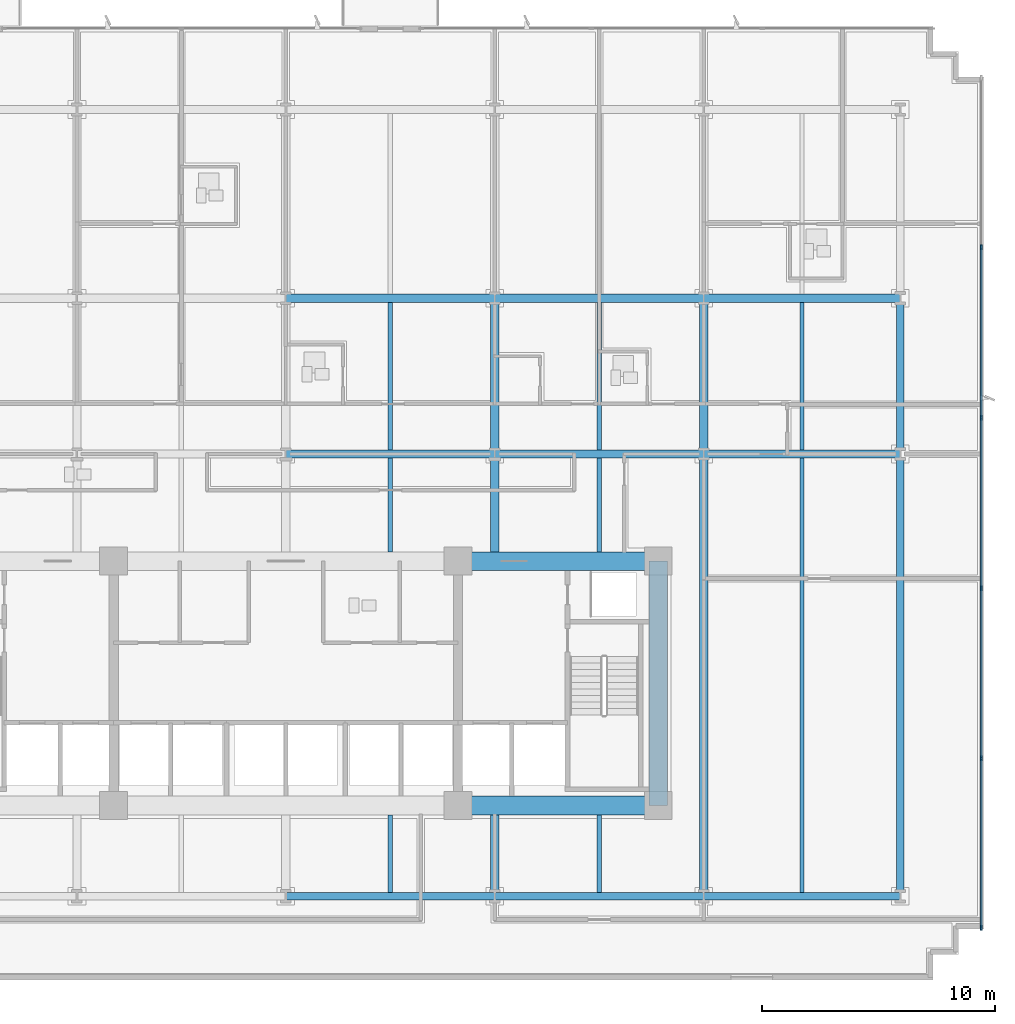
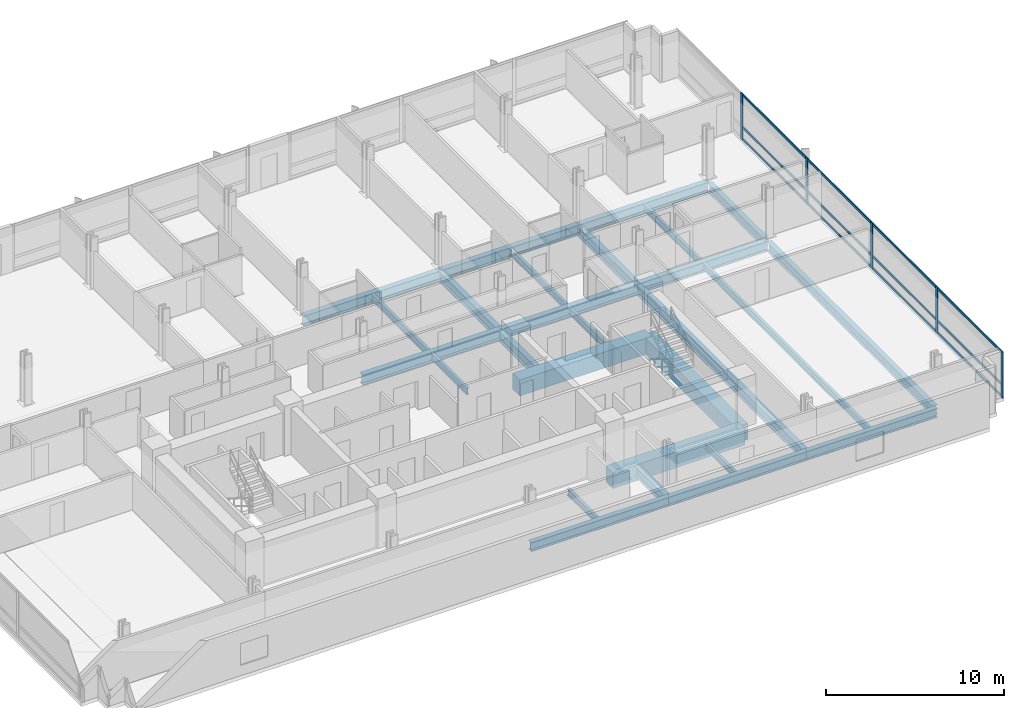
# One storey, part 4 of 17: 27 beams, 17 members, 1 element without a shape of its own.
"""IFC4 building model written with IfcOpenShell, lengths in metres."""

from ifc_helpers import new_model, si_unit, direction, frame, origin, origin_2d, place, context, subcontext, project, spatial, rectangle, i_section, extrude, material, material_profile, profile_set, type_object, element, aggregate, save


model = new_model("IFC4")

# Units and contexts
model_context = context("Model", 3, precision=1e-05, world=origin(), true_north=direction((0.0, 1.0)))
body_context = subcontext(model_context, "Body", "Model", "MODEL_VIEW")
ifc_project = project(units=[si_unit("LENGTHUNIT", "METRE"), si_unit("AREAUNIT", "SQUARE_METRE"), si_unit("VOLUMEUNIT", "CUBIC_METRE"), si_unit("PLANEANGLEUNIT", "RADIAN"), si_unit("MASSUNIT", "GRAM", prefix="KILO")], contexts=[model_context])

# Site, building, storey
site_placement = place(None, origin())
site = spatial("IfcSite", under=ifc_project, at=site_placement, CompositionType="ELEMENT")
building_placement = place(site_placement, origin())
building = spatial("IfcBuilding", under=site, at=building_placement, Name="Solmavex Isthmus Hotel", CompositionType="ELEMENT")
storey_placement = place(building_placement, frame((0.0, 0.0, 47.10009765625)))
storey = spatial("IfcBuildingStorey", under=building, at=storey_placement, Name="L12", CompositionType="ELEMENT", Elevation=47.10009765625)

# Beams
ifc_material_1 = material(Name="Steel ASTM A992 Grade 50", Category="steel")
ifc_material_profile_1 = material_profile(ifc_material_1, i_section(OverallWidth=0.354736328125, OverallDepth=0.695556640625, WebThickness=0.015380859375, FlangeThickness=0.02490234375, FilletRadius=0.017822265625, at=origin_2d()), Name="W27X146")
ifc_profile_set_1 = profile_set([ifc_material_profile_1], Name="Steel ASTM A992 Grade 50")
beam_type_1 = type_object("IfcBeamType", Name="BM-BG-W27X146", PredefinedType="BEAM", material=ifc_profile_set_1)
beam_1_placement = place(storey_placement, frame((0.0, 2.10009765625, -0.60791015625), z_axis=(1.0, 0.0, 0.0), x_axis=(0.0, 1.0, 0.0)))
element("IfcBeam", 1, at=beam_1_placement, inside=storey, type_object=beam_type_1, Name="Floor Girder L12-UG10", PredefinedType="BEAM", context=body_context, shape_type="SweptSolid", body=[
    extrude(i_section(OverallWidth=0.354736328125, OverallDepth=0.695556640625, WebThickness=0.015380859375, FlangeThickness=0.02490234375, FilletRadius=0.017822265625, at=origin_2d()), origin(), (0.0, 0.0, 1.0), 8.97607421875),
])
beam_2_placement = place(storey_placement, frame((8.97607421875, 2.10009765625, -0.60791015625), z_axis=(1.0, 0.0, 0.0), x_axis=(0.0, 1.0, 0.0)))
element("IfcBeam", 2, at=beam_2_placement, inside=storey, type_object=beam_type_1, Name="Floor Girder L12-UG11", PredefinedType="BEAM", context=body_context, shape_type="SweptSolid", body=[
    extrude(i_section(OverallWidth=0.354736328125, OverallDepth=0.695556640625, WebThickness=0.015380859375, FlangeThickness=0.02490234375, FilletRadius=0.017822265625, at=origin_2d()), origin(), (0.0, 0.0, 1.0), 8.975830078125),
])
beam_3_placement = place(storey_placement, frame((17.951904296875, 2.10009765625, -0.60791015625), z_axis=(1.0, 0.0, 0.0), x_axis=(0.0, 1.0, 0.0)))
element("IfcBeam", 3, at=beam_3_placement, inside=storey, type_object=beam_type_1, Name="Floor Girder L12-UG12", PredefinedType="BEAM", context=body_context, shape_type="SweptSolid", body=[
    extrude(i_section(OverallWidth=0.354736328125, OverallDepth=0.695556640625, WebThickness=0.015380859375, FlangeThickness=0.02490234375, FilletRadius=0.017822265625, at=origin_2d()), origin(), (0.0, 0.0, 1.0), 8.447998046875),
])
beam_4_placement = place(storey_placement, frame((0.0, 8.7880859375, -0.60791015625), z_axis=(1.0, 0.0, 0.0), x_axis=(0.0, 1.0, 0.0)))
element("IfcBeam", 4, at=beam_4_placement, inside=storey, type_object=beam_type_1, Name="Floor Girder L12-UG16", PredefinedType="BEAM", context=body_context, shape_type="SweptSolid", body=[
    extrude(i_section(OverallWidth=0.354736328125, OverallDepth=0.695556640625, WebThickness=0.015380859375, FlangeThickness=0.02490234375, FilletRadius=0.017822265625, at=origin_2d()), origin(), (0.0, 0.0, 1.0), 8.97607421875),
])
beam_5_placement = place(storey_placement, frame((8.97607421875, 8.7880859375, -0.60791015625), z_axis=(1.0, 0.0, 0.0), x_axis=(0.0, 1.0, 0.0)))
element("IfcBeam", 5, at=beam_5_placement, inside=storey, type_object=beam_type_1, Name="Floor Girder L12-UG17", PredefinedType="BEAM", context=body_context, shape_type="SweptSolid", body=[
    extrude(i_section(OverallWidth=0.354736328125, OverallDepth=0.695556640625, WebThickness=0.015380859375, FlangeThickness=0.02490234375, FilletRadius=0.017822265625, at=origin_2d()), origin(), (0.0, 0.0, 1.0), 8.975830078125),
])
beam_6_placement = place(storey_placement, frame((17.951904296875, 8.7880859375, -0.60791015625), z_axis=(1.0, 0.0, 0.0), x_axis=(0.0, 1.0, 0.0)))
element("IfcBeam", 6, at=beam_6_placement, inside=storey, type_object=beam_type_1, Name="Floor Girder L12-UG18", PredefinedType="BEAM", context=body_context, shape_type="SweptSolid", body=[
    extrude(i_section(OverallWidth=0.354736328125, OverallDepth=0.695556640625, WebThickness=0.015380859375, FlangeThickness=0.02490234375, FilletRadius=0.017822265625, at=origin_2d()), origin(), (0.0, 0.0, 1.0), 8.447998046875),
])
beam_7_placement = place(storey_placement, frame((8.97607421875, -16.73681640625, -0.60791015625), z_axis=(0.0, 1.0, 0.0), x_axis=(-1.0, 0.0, 0.0)))
element("IfcBeam", 7, at=beam_7_placement, inside=storey, type_object=beam_type_1, Name="Floor Beam L12-VG39", PredefinedType="BEAM", context=body_context, shape_type="SweptSolid", body=[
    extrude(i_section(OverallWidth=0.354736328125, OverallDepth=0.695556640625, WebThickness=0.015380859375, FlangeThickness=0.02490234375, FilletRadius=0.017822265625, at=origin_2d()), origin(), (0.0, 0.0, 1.0), 3.3369140625),
])
beam_8_placement = place(storey_placement, frame((8.97607421875, -2.10009765625, -0.60791015625), z_axis=(0.0, 1.0, 0.0), x_axis=(-1.0, 0.0, 0.0)))
element("IfcBeam", 8, at=beam_8_placement, inside=storey, type_object=beam_type_1, Name="Floor Beam L12-VG40", PredefinedType="BEAM", context=body_context, shape_type="SweptSolid", body=[
    extrude(i_section(OverallWidth=0.354736328125, OverallDepth=0.695556640625, WebThickness=0.015380859375, FlangeThickness=0.02490234375, FilletRadius=0.017822265625, at=origin_2d()), origin(), (0.0, 0.0, 1.0), 4.022705078125),
])
beam_9_placement = place(storey_placement, frame((8.97607421875, 2.27734375, -0.60791015625), z_axis=(0.0, 1.0, 0.0), x_axis=(-1.0, 0.0, 0.0)))
element("IfcBeam", 9, at=beam_9_placement, inside=storey, type_object=beam_type_1, Name="Floor Beam L12-VG41", PredefinedType="BEAM", context=body_context, shape_type="SweptSolid", body=[
    extrude(i_section(OverallWidth=0.354736328125, OverallDepth=0.695556640625, WebThickness=0.015380859375, FlangeThickness=0.02490234375, FilletRadius=0.017822265625, at=origin_2d()), origin(), (0.0, 0.0, 1.0), 6.333251953125),
])
beam_10_placement = place(storey_placement, frame((17.951904296875, -16.73681640625, -0.60791015625), z_axis=(0.0, 1.0, 0.0), x_axis=(-1.0, 0.0, 0.0)))
element("IfcBeam", 10, at=beam_10_placement, inside=storey, type_object=beam_type_1, Name="Floor Beam L12-VG43", PredefinedType="BEAM", context=body_context, shape_type="SweptSolid", body=[
    extrude(i_section(OverallWidth=0.354736328125, OverallDepth=0.695556640625, WebThickness=0.015380859375, FlangeThickness=0.02490234375, FilletRadius=0.017822265625, at=origin_2d()), origin(), (0.0, 0.0, 1.0), 18.659423828125),
])
beam_11_placement = place(storey_placement, frame((17.951904296875, 2.27734375, -0.60791015625), z_axis=(0.0, 1.0, 0.0), x_axis=(-1.0, 0.0, 0.0)))
element("IfcBeam", 11, at=beam_11_placement, inside=storey, type_object=beam_type_1, Name="Floor Beam L12-VG44", PredefinedType="BEAM", context=body_context, shape_type="SweptSolid", body=[
    extrude(i_section(OverallWidth=0.354736328125, OverallDepth=0.695556640625, WebThickness=0.015380859375, FlangeThickness=0.02490234375, FilletRadius=0.017822265625, at=origin_2d()), origin(), (0.0, 0.0, 1.0), 6.333251953125),
])
ifc_material_profile_2 = material_profile(ifc_material_1, i_section(OverallWidth=0.1904296875, OverallDepth=0.456787109375, WebThickness=0.009033203125, FlangeThickness=0.014404296875, FilletRadius=0.0126953125, at=origin_2d()), Name="W18X50")
ifc_profile_set_2 = profile_set([ifc_material_profile_2], Name="Steel ASTM A992 Grade 50")
beam_type_2 = type_object("IfcBeamType", Name="BM-BJ-W18X50", PredefinedType="JOIST", material=ifc_profile_set_2)
beam_12_placement = place(storey_placement, frame((4.488037109375, -16.73681640625, -0.488525390625), z_axis=(0.0, 1.0, 0.0), x_axis=(-1.0, 0.0, 0.0)))
element("IfcBeam", 12, at=beam_12_placement, inside=storey, type_object=beam_type_2, Name="Secondary Floor Joist L12-J12", PredefinedType="JOIST", context=body_context, shape_type="SweptSolid", body=[
    extrude(i_section(OverallWidth=0.1904296875, OverallDepth=0.456787109375, WebThickness=0.009033203125, FlangeThickness=0.014404296875, FilletRadius=0.0126953125, at=origin_2d()), origin(), (0.0, 0.0, 1.0), 3.3369140625),
])
beam_13_placement = place(storey_placement, frame((4.488037109375, -2.10009765625, -0.488525390625), z_axis=(0.0, 1.0, 0.0), x_axis=(-1.0, 0.0, 0.0)))
element("IfcBeam", 13, at=beam_13_placement, inside=storey, type_object=beam_type_2, Name="Secondary Floor Joist L12-J13", PredefinedType="JOIST", context=body_context, shape_type="SweptSolid", body=[
    extrude(i_section(OverallWidth=0.1904296875, OverallDepth=0.456787109375, WebThickness=0.009033203125, FlangeThickness=0.014404296875, FilletRadius=0.0126953125, at=origin_2d()), origin(), (0.0, 0.0, 1.0), 4.022705078125),
])
beam_14_placement = place(storey_placement, frame((4.488037109375, 2.27734375, -0.488525390625), z_axis=(0.0, 1.0, 0.0), x_axis=(-1.0, 0.0, 0.0)))
element("IfcBeam", 14, at=beam_14_placement, inside=storey, type_object=beam_type_2, Name="Secondary Floor Joist L12-J14", PredefinedType="JOIST", context=body_context, shape_type="SweptSolid", body=[
    extrude(i_section(OverallWidth=0.1904296875, OverallDepth=0.456787109375, WebThickness=0.009033203125, FlangeThickness=0.014404296875, FilletRadius=0.0126953125, at=origin_2d()), origin(), (0.0, 0.0, 1.0), 6.333251953125),
])
beam_15_placement = place(storey_placement, frame((13.464111328125, -16.73681640625, -0.488525390625), z_axis=(0.0, 1.0, 0.0), x_axis=(-1.0, 0.0, 0.0)))
element("IfcBeam", 15, at=beam_15_placement, inside=storey, type_object=beam_type_2, Name="Secondary Floor Joist L12-J16", PredefinedType="JOIST", context=body_context, shape_type="SweptSolid", body=[
    extrude(i_section(OverallWidth=0.1904296875, OverallDepth=0.456787109375, WebThickness=0.009033203125, FlangeThickness=0.014404296875, FilletRadius=0.0126953125, at=origin_2d()), origin(), (0.0, 0.0, 1.0), 3.3369140625),
])
beam_16_placement = place(storey_placement, frame((13.464111328125, -2.10009765625, -0.488525390625), z_axis=(0.0, 1.0, 0.0), x_axis=(-1.0, 0.0, 0.0)))
element("IfcBeam", 16, at=beam_16_placement, inside=storey, type_object=beam_type_2, Name="Secondary Floor Joist L12-J17", PredefinedType="JOIST", context=body_context, shape_type="SweptSolid", body=[
    extrude(i_section(OverallWidth=0.1904296875, OverallDepth=0.456787109375, WebThickness=0.009033203125, FlangeThickness=0.014404296875, FilletRadius=0.0126953125, at=origin_2d()), origin(), (0.0, 0.0, 1.0), 4.022705078125),
])
beam_17_placement = place(storey_placement, frame((13.464111328125, 2.27734375, -0.488525390625), z_axis=(0.0, 1.0, 0.0), x_axis=(-1.0, 0.0, 0.0)))
element("IfcBeam", 17, at=beam_17_placement, inside=storey, type_object=beam_type_2, Name="Secondary Floor Joist L12-J18", PredefinedType="JOIST", context=body_context, shape_type="SweptSolid", body=[
    extrude(i_section(OverallWidth=0.1904296875, OverallDepth=0.456787109375, WebThickness=0.009033203125, FlangeThickness=0.014404296875, FilletRadius=0.0126953125, at=origin_2d()), origin(), (0.0, 0.0, 1.0), 6.333251953125),
])
beam_18_placement = place(storey_placement, frame((22.176025390625, -16.73681640625, -0.488525390625), z_axis=(0.0, 1.0, 0.0), x_axis=(-1.0, 0.0, 0.0)))
element("IfcBeam", 18, at=beam_18_placement, inside=storey, type_object=beam_type_2, Name="Secondary Floor Joist L12-J20", PredefinedType="JOIST", context=body_context, shape_type="SweptSolid", body=[
    extrude(i_section(OverallWidth=0.1904296875, OverallDepth=0.456787109375, WebThickness=0.009033203125, FlangeThickness=0.014404296875, FilletRadius=0.0126953125, at=origin_2d()), origin(), (0.0, 0.0, 1.0), 18.659423828125),
])
beam_19_placement = place(storey_placement, frame((22.176025390625, 2.27734375, -0.488525390625), z_axis=(0.0, 1.0, 0.0), x_axis=(-1.0, 0.0, 0.0)))
element("IfcBeam", 19, at=beam_19_placement, inside=storey, type_object=beam_type_2, Name="Secondary Floor Joist L12-J21", PredefinedType="JOIST", context=body_context, shape_type="SweptSolid", body=[
    extrude(i_section(OverallWidth=0.1904296875, OverallDepth=0.456787109375, WebThickness=0.009033203125, FlangeThickness=0.014404296875, FilletRadius=0.0126953125, at=origin_2d()), origin(), (0.0, 0.0, 1.0), 6.333251953125),
])
ifc_material_2 = material(Name="Concrete C70/85", Category="concrete")
ifc_material_profile_3 = material_profile(ifc_material_2, rectangle(XDim=0.800048828125, YDim=1.10009765625, at=origin_2d()), Name="RC800X1100")
ifc_profile_set_3 = profile_set([ifc_material_profile_3], Name="Concrete C70/85")
beam_type_3 = type_object("IfcBeamType", Name="BM-CB-800X1100", PredefinedType="BEAM", material=ifc_profile_set_3)
for number, where, z_axis, x_axis, name in (
    (20, (7.39990234375, -13.0, -0.81005859375), (1.0, 0.0, 0.0), (0.0, 1.0, 0.0), "Core Coupling Beam L12-CB3"),
    (21, (7.39990234375, -2.5, -0.81005859375), (1.0, 0.0, 0.0), (0.0, 1.0, 0.0), "Core Coupling Beam L12-CB6"),
):
    element("IfcBeam", number, at=place(storey_placement, frame(where, z_axis=z_axis, x_axis=x_axis)), inside=storey, type_object=beam_type_3, Name=name, PredefinedType="BEAM", context=body_context, shape_type="SweptSolid", body=[
        extrude(rectangle(XDim=0.800048828125, YDim=1.10009765625, at=origin_2d()), origin(), (0.0, 0.0, 1.0), 8.60009765625),
    ])
beam_20_placement = place(storey_placement, frame((16.0, -13.0, -0.81005859375), z_axis=(0.0, 1.0, 0.0), x_axis=(-1.0, 0.0, 0.0)))
element("IfcBeam", 22, at=beam_20_placement, inside=storey, type_object=beam_type_3, Name="Core Coupling Beam L12-CB8", PredefinedType="BEAM", context=body_context, shape_type="SweptSolid", body=[
    extrude(rectangle(XDim=0.800048828125, YDim=1.10009765625, at=origin_2d()), origin(), (0.0, 0.0, 1.0), 10.5),
])
ifc_material_profile_4 = material_profile(ifc_material_1, i_section(OverallWidth=0.326416015625, OverallDepth=0.621826171875, WebThickness=0.015380859375, FlangeThickness=0.0244140625, FilletRadius=0.01513671875, at=origin_2d()), Name="W24X131")
ifc_profile_set_4 = profile_set([ifc_material_profile_4], Name="Steel ASTM A992 Grade 50")
beam_type_4 = type_object("IfcBeamType", Name="BM-SP-W24X131", PredefinedType="SPANDREL", material=ifc_profile_set_4)
beam_21_placement = place(storey_placement, frame((0.0, -16.89990234375, -0.571044921875), z_axis=(1.0, 0.0, 0.0), x_axis=(0.0, 1.0, 0.0)))
element("IfcBeam", 23, at=beam_21_placement, inside=storey, type_object=beam_type_4, Name="Floor Girder L12-UG04", PredefinedType="SPANDREL", context=body_context, shape_type="SweptSolid", body=[
    extrude(i_section(OverallWidth=0.326416015625, OverallDepth=0.621826171875, WebThickness=0.015380859375, FlangeThickness=0.0244140625, FilletRadius=0.01513671875, at=origin_2d()), origin(), (0.0, 0.0, 1.0), 8.97607421875),
])
beam_22_placement = place(storey_placement, frame((8.97607421875, -16.89990234375, -0.571044921875), z_axis=(1.0, 0.0, 0.0), x_axis=(0.0, 1.0, 0.0)))
element("IfcBeam", 24, at=beam_22_placement, inside=storey, type_object=beam_type_4, Name="Floor Girder L12-UG05", PredefinedType="SPANDREL", context=body_context, shape_type="SweptSolid", body=[
    extrude(i_section(OverallWidth=0.326416015625, OverallDepth=0.621826171875, WebThickness=0.015380859375, FlangeThickness=0.0244140625, FilletRadius=0.01513671875, at=origin_2d()), origin(), (0.0, 0.0, 1.0), 8.975830078125),
])
beam_23_placement = place(storey_placement, frame((17.951904296875, -16.89990234375, -0.571044921875), z_axis=(1.0, 0.0, 0.0), x_axis=(0.0, 1.0, 0.0)))
element("IfcBeam", 25, at=beam_23_placement, inside=storey, type_object=beam_type_4, Name="Floor Girder L12-UG06", PredefinedType="SPANDREL", context=body_context, shape_type="SweptSolid", body=[
    extrude(i_section(OverallWidth=0.326416015625, OverallDepth=0.621826171875, WebThickness=0.015380859375, FlangeThickness=0.0244140625, FilletRadius=0.01513671875, at=origin_2d()), origin(), (0.0, 0.0, 1.0), 8.447998046875),
])
beam_24_placement = place(storey_placement, frame((26.39990234375, -16.73681640625, -0.571044921875), z_axis=(0.0, 1.0, 0.0), x_axis=(-1.0, 0.0, 0.0)))
element("IfcBeam", 26, at=beam_24_placement, inside=storey, type_object=beam_type_4, Name="Floor Beam L12-VG46", PredefinedType="SPANDREL", context=body_context, shape_type="SweptSolid", body=[
    extrude(i_section(OverallWidth=0.326416015625, OverallDepth=0.621826171875, WebThickness=0.015380859375, FlangeThickness=0.0244140625, FilletRadius=0.01513671875, at=origin_2d()), origin(), (0.0, 0.0, 1.0), 18.659423828125),
])
beam_25_placement = place(storey_placement, frame((26.39990234375, 2.27734375, -0.571044921875), z_axis=(0.0, 1.0, 0.0), x_axis=(-1.0, 0.0, 0.0)))
element("IfcBeam", 27, at=beam_25_placement, inside=storey, type_object=beam_type_4, Name="Floor Beam L12-VG47", PredefinedType="SPANDREL", context=body_context, shape_type="SweptSolid", body=[
    extrude(i_section(OverallWidth=0.326416015625, OverallDepth=0.621826171875, WebThickness=0.015380859375, FlangeThickness=0.0244140625, FilletRadius=0.01513671875, at=origin_2d()), origin(), (0.0, 0.0, 1.0), 6.333251953125),
])

# Curtain wall, members
ifc_material_3 = material(Name="Aluminium alloy 6063-T6", Category="aluminium")
curtain_wall_type = type_object("IfcCurtainWallType", Name="CW-SYS-02", PredefinedType="NOTDEFINED", material=ifc_material_3)
curtain_wall_placement = place(storey_placement, origin())
curtain_wall = element("IfcCurtainWall", 28, at=curtain_wall_placement, inside=storey, type_object=curtain_wall_type, Name="Stick Curtain Wall CWL-L12-E1", PredefinedType="NOTDEFINED")
ifc_material_profile_5 = material_profile(ifc_material_3, rectangle(XDim=0.074951171875, YDim=0.219970703125, at=origin_2d()), Name="CWM-75X220")
ifc_profile_set_5 = profile_set([ifc_material_profile_5], Name="Aluminium alloy 6063-T6")
member_type_1 = type_object("IfcMemberType", Name="CW-SYS-02-MUL", PredefinedType="MULLION", material=ifc_profile_set_5)
member_1_placement = place(storey_placement, frame((29.8798828125, -18.262451171875, 0.0), z_axis=(0.0, 0.0, 1.0), x_axis=(-1.0, 0.0, 0.0)))
member_1 = element("IfcMember", 29, at=member_1_placement, type_object=member_type_1, Name="CW-02 mullion 1", PredefinedType="MULLION", context=body_context, shape_type="SweptSolid", body=[
    extrude(rectangle(XDim=0.074951171875, YDim=0.219970703125, at=origin_2d()), origin(), (0.0, 0.0, 1.0), 3.18994140625),
])
member_2_placement = place(storey_placement, frame((29.8798828125, -10.97998046875, 0.0), z_axis=(0.0, 0.0, 1.0), x_axis=(-1.0, 0.0, 0.0)))
member_2 = element("IfcMember", 30, at=member_2_placement, type_object=member_type_1, Name="CW-02 mullion 2", PredefinedType="MULLION", context=body_context, shape_type="SweptSolid", body=[
    extrude(rectangle(XDim=0.074951171875, YDim=0.219970703125, at=origin_2d()), origin(), (0.0, 0.0, 1.0), 3.18994140625),
])
member_3_placement = place(storey_placement, frame((29.8798828125, -3.659912109375, 0.0), z_axis=(0.0, 0.0, 1.0), x_axis=(-1.0, 0.0, 0.0)))
member_3 = element("IfcMember", 31, at=member_3_placement, type_object=member_type_1, Name="CW-02 mullion 3", PredefinedType="MULLION", context=body_context, shape_type="SweptSolid", body=[
    extrude(rectangle(XDim=0.074951171875, YDim=0.219970703125, at=origin_2d()), origin(), (0.0, 0.0, 1.0), 3.18994140625),
])
member_4_placement = place(storey_placement, frame((29.8798828125, 3.659912109375, 0.0), z_axis=(0.0, 0.0, 1.0), x_axis=(-1.0, 0.0, 0.0)))
member_4 = element("IfcMember", 32, at=member_4_placement, type_object=member_type_1, Name="CW-02 mullion 4", PredefinedType="MULLION", context=body_context, shape_type="SweptSolid", body=[
    extrude(rectangle(XDim=0.074951171875, YDim=0.219970703125, at=origin_2d()), origin(), (0.0, 0.0, 1.0), 3.18994140625),
])
member_5_placement = place(storey_placement, frame((29.8798828125, 10.97998046875, 0.0), z_axis=(0.0, 0.0, 1.0), x_axis=(-1.0, 0.0, 0.0)))
member_5 = element("IfcMember", 33, at=member_5_placement, type_object=member_type_1, Name="CW-02 mullion 5", PredefinedType="MULLION", context=body_context, shape_type="SweptSolid", body=[
    extrude(rectangle(XDim=0.074951171875, YDim=0.219970703125, at=origin_2d()), origin(), (0.0, 0.0, 1.0), 3.18994140625),
])
ifc_material_profile_6 = material_profile(ifc_material_3, rectangle(XDim=0.074951171875, YDim=0.159912109375, at=origin_2d()), Name="CWT-75X160")
ifc_profile_set_6 = profile_set([ifc_material_profile_6], Name="Aluminium alloy 6063-T6")
member_type_2 = type_object("IfcMemberType", Name="CW-SYS-02-TRN", PredefinedType="USERDEFINED", material=ifc_profile_set_6)
member_6_placement = place(storey_placement, frame((29.8798828125, -18.22509765625, 0.079833984375), z_axis=(0.0, 1.0, 0.0), x_axis=(-1.0, 0.0, 0.0)))
member_6 = element("IfcMember", 34, at=member_6_placement, type_object=member_type_2, Name="CW-02 transom 1.1", ObjectType="TRANSOM", PredefinedType="USERDEFINED", context=body_context, shape_type="SweptSolid", body=[
    extrude(rectangle(XDim=0.074951171875, YDim=0.159912109375, at=origin_2d()), origin(), (0.0, 0.0, 1.0), 7.20751953125),
])
member_7_placement = place(storey_placement, frame((29.8798828125, -18.22509765625, 0.89990234375), z_axis=(0.0, 1.0, 0.0), x_axis=(-1.0, 0.0, 0.0)))
member_7 = element("IfcMember", 35, at=member_7_placement, type_object=member_type_2, Name="CW-02 transom 1.2", ObjectType="TRANSOM", PredefinedType="USERDEFINED", context=body_context, shape_type="SweptSolid", body=[
    extrude(rectangle(XDim=0.074951171875, YDim=0.159912109375, at=origin_2d()), origin(), (0.0, 0.0, 1.0), 7.20751953125),
])
member_8_placement = place(storey_placement, frame((29.8798828125, -18.22509765625, 3.10986328125), z_axis=(0.0, 1.0, 0.0), x_axis=(-1.0, 0.0, 0.0)))
member_8 = element("IfcMember", 36, at=member_8_placement, type_object=member_type_2, Name="CW-02 transom 1.3", ObjectType="TRANSOM", PredefinedType="USERDEFINED", context=body_context, shape_type="SweptSolid", body=[
    extrude(rectangle(XDim=0.074951171875, YDim=0.159912109375, at=origin_2d()), origin(), (0.0, 0.0, 1.0), 7.20751953125),
])
member_9_placement = place(storey_placement, frame((29.8798828125, -10.9423828125, 0.079833984375), z_axis=(0.0, 1.0, 0.0), x_axis=(-1.0, 0.0, 0.0)))
member_9 = element("IfcMember", 37, at=member_9_placement, type_object=member_type_2, Name="CW-02 transom 2.1", ObjectType="TRANSOM", PredefinedType="USERDEFINED", context=body_context, shape_type="SweptSolid", body=[
    extrude(rectangle(XDim=0.074951171875, YDim=0.159912109375, at=origin_2d()), origin(), (0.0, 0.0, 1.0), 7.244873046875),
])
member_10_placement = place(storey_placement, frame((29.8798828125, -10.9423828125, 0.89990234375), z_axis=(0.0, 1.0, 0.0), x_axis=(-1.0, 0.0, 0.0)))
member_10 = element("IfcMember", 38, at=member_10_placement, type_object=member_type_2, Name="CW-02 transom 2.2", ObjectType="TRANSOM", PredefinedType="USERDEFINED", context=body_context, shape_type="SweptSolid", body=[
    extrude(rectangle(XDim=0.074951171875, YDim=0.159912109375, at=origin_2d()), origin(), (0.0, 0.0, 1.0), 7.244873046875),
])
member_11_placement = place(storey_placement, frame((29.8798828125, -10.9423828125, 3.10986328125), z_axis=(0.0, 1.0, 0.0), x_axis=(-1.0, 0.0, 0.0)))
member_11 = element("IfcMember", 39, at=member_11_placement, type_object=member_type_2, Name="CW-02 transom 2.3", ObjectType="TRANSOM", PredefinedType="USERDEFINED", context=body_context, shape_type="SweptSolid", body=[
    extrude(rectangle(XDim=0.074951171875, YDim=0.159912109375, at=origin_2d()), origin(), (0.0, 0.0, 1.0), 7.244873046875),
])
member_12_placement = place(storey_placement, frame((29.8798828125, -3.62255859375, 0.079833984375), z_axis=(0.0, 1.0, 0.0), x_axis=(-1.0, 0.0, 0.0)))
member_12 = element("IfcMember", 40, at=member_12_placement, type_object=member_type_2, Name="CW-02 transom 3.1", ObjectType="TRANSOM", PredefinedType="USERDEFINED", context=body_context, shape_type="SweptSolid", body=[
    extrude(rectangle(XDim=0.074951171875, YDim=0.159912109375, at=origin_2d()), origin(), (0.0, 0.0, 1.0), 7.2451171875),
])
member_13_placement = place(storey_placement, frame((29.8798828125, -3.62255859375, 0.89990234375), z_axis=(0.0, 1.0, 0.0), x_axis=(-1.0, 0.0, 0.0)))
member_13 = element("IfcMember", 41, at=member_13_placement, type_object=member_type_2, Name="CW-02 transom 3.2", ObjectType="TRANSOM", PredefinedType="USERDEFINED", context=body_context, shape_type="SweptSolid", body=[
    extrude(rectangle(XDim=0.074951171875, YDim=0.159912109375, at=origin_2d()), origin(), (0.0, 0.0, 1.0), 7.2451171875),
])
member_14_placement = place(storey_placement, frame((29.8798828125, -3.62255859375, 3.10986328125), z_axis=(0.0, 1.0, 0.0), x_axis=(-1.0, 0.0, 0.0)))
member_14 = element("IfcMember", 42, at=member_14_placement, type_object=member_type_2, Name="CW-02 transom 3.3", ObjectType="TRANSOM", PredefinedType="USERDEFINED", context=body_context, shape_type="SweptSolid", body=[
    extrude(rectangle(XDim=0.074951171875, YDim=0.159912109375, at=origin_2d()), origin(), (0.0, 0.0, 1.0), 7.2451171875),
])
member_15_placement = place(storey_placement, frame((29.8798828125, 3.697509765625, 0.079833984375), z_axis=(0.0, 1.0, 0.0), x_axis=(-1.0, 0.0, 0.0)))
member_15 = element("IfcMember", 43, at=member_15_placement, type_object=member_type_2, Name="CW-02 transom 4.1", ObjectType="TRANSOM", PredefinedType="USERDEFINED", context=body_context, shape_type="SweptSolid", body=[
    extrude(rectangle(XDim=0.074951171875, YDim=0.159912109375, at=origin_2d()), origin(), (0.0, 0.0, 1.0), 7.244873046875),
])
member_16_placement = place(storey_placement, frame((29.8798828125, 3.697509765625, 0.89990234375), z_axis=(0.0, 1.0, 0.0), x_axis=(-1.0, 0.0, 0.0)))
member_16 = element("IfcMember", 44, at=member_16_placement, type_object=member_type_2, Name="CW-02 transom 4.2", ObjectType="TRANSOM", PredefinedType="USERDEFINED", context=body_context, shape_type="SweptSolid", body=[
    extrude(rectangle(XDim=0.074951171875, YDim=0.159912109375, at=origin_2d()), origin(), (0.0, 0.0, 1.0), 7.244873046875),
])
member_17_placement = place(storey_placement, frame((29.8798828125, 3.697509765625, 3.10986328125), z_axis=(0.0, 1.0, 0.0), x_axis=(-1.0, 0.0, 0.0)))
member_17 = element("IfcMember", 45, at=member_17_placement, type_object=member_type_2, Name="CW-02 transom 4.3", ObjectType="TRANSOM", PredefinedType="USERDEFINED", context=body_context, shape_type="SweptSolid", body=[
    extrude(rectangle(XDim=0.074951171875, YDim=0.159912109375, at=origin_2d()), origin(), (0.0, 0.0, 1.0), 7.244873046875),
])
aggregate(curtain_wall, [member_1, member_2, member_3, member_4, member_5, member_6, member_7, member_8, member_9, member_10, member_11, member_12, member_13, member_14, member_15, member_16, member_17])

save(model, "model.ifc")
